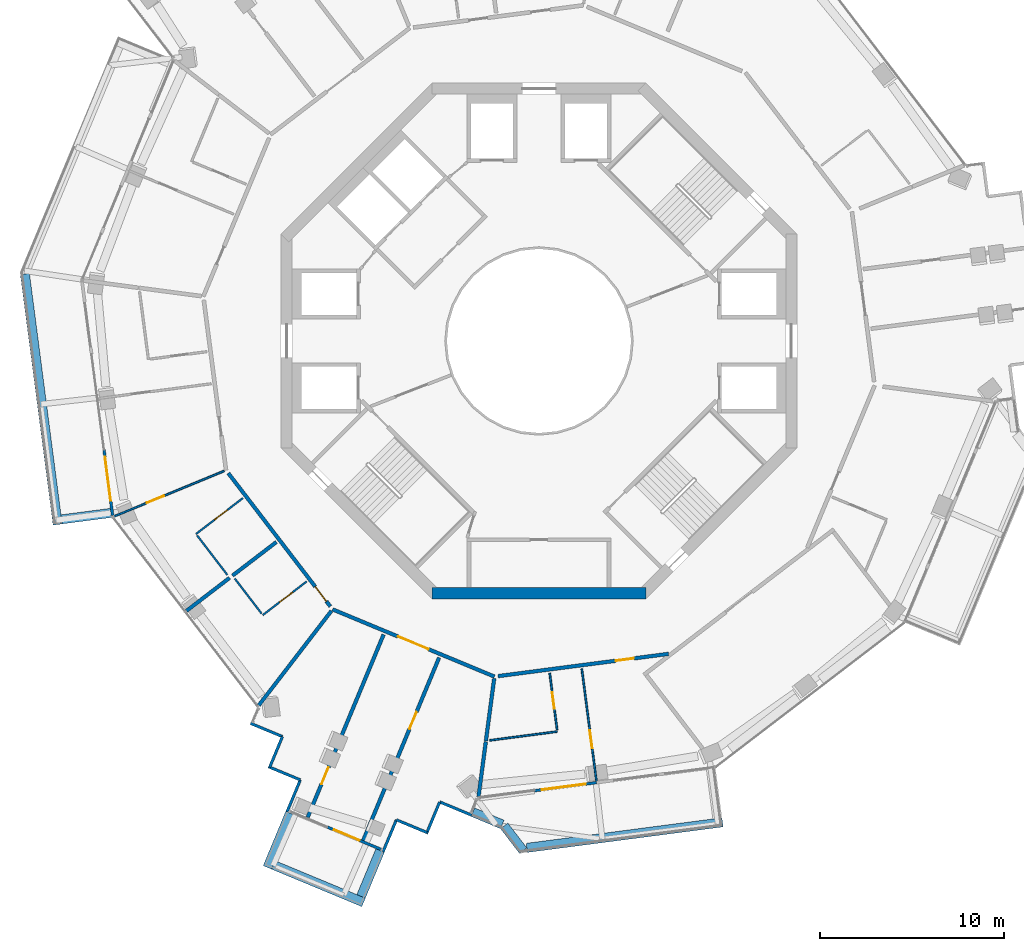
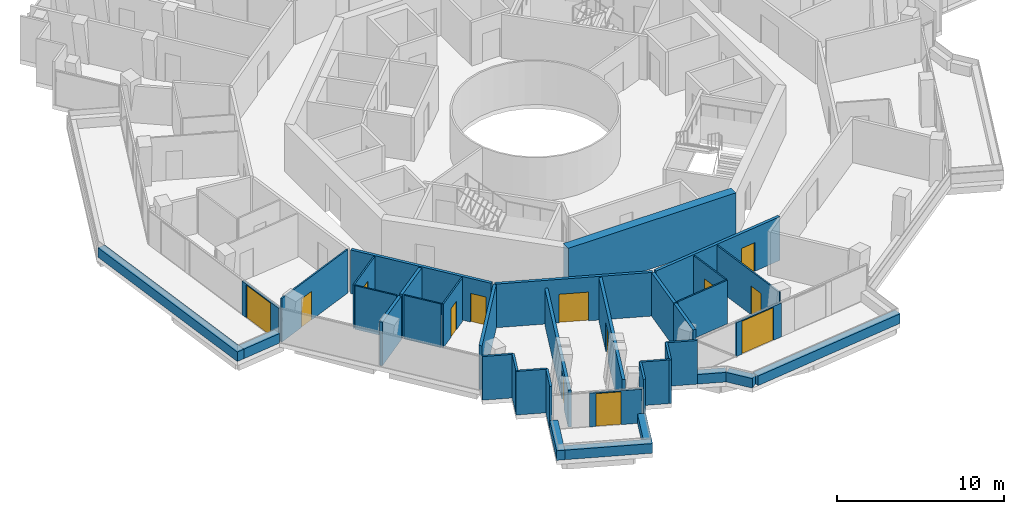
# One storey, part 17 of 25: 38 walls, 13 doors, 13 openings.
"""IFC4 building model written with IfcOpenShell, lengths in metres."""

import ifcopenshell
import ifcopenshell.guid

model = None  # the IFC model being written
_history = None  # IfcOwnerHistory: only IFC2X3 demands one
_inside = {}  # id of a spatial element -> (the spatial element, [elements in it])
_under = {}  # id of a project, library or spatial element -> (it, [spatial elements below it])
_declared = {}  # id of a project -> (the project, [libraries it declares])
_typed = {}  # id of a type object -> (the type object, [elements of that type])
_made_of = {}  # id of a material, layer set ... -> (it, [elements and type objects made of it])


def new_model(schema):
    """Start an empty IFC model of exactly this schema.

    Asked for "IFC4X3", IfcOpenShell would pick the latest addendum, in which some entities
    have other attributes; the version numbers below select the first issue.
    IFC2X3 requires an IfcOwnerHistory on every rooted entity: one is made here for all.
    """
    global model, _history
    if schema == "IFC4X3":
        model = ifcopenshell.file(schema_version=(4, 3, 0, 0))
    else:
        model = ifcopenshell.file(schema=schema)
    _inside.clear()
    _under.clear()
    _declared.clear()
    _typed.clear()
    _made_of.clear()
    _history = None
    if model.schema == "IFC2X3":
        org = make("IfcOrganization", Name="unknown")
        user = make(
            "IfcPersonAndOrganization",
            ThePerson=make("IfcPerson", FamilyName="unknown"),
            TheOrganization=org,
        )
        app = make(
            "IfcApplication",
            ApplicationDeveloper=org,
            Version="unknown",
            ApplicationFullName="unknown",
            ApplicationIdentifier="unknown",
        )
        _history = make(
            "IfcOwnerHistory",
            OwningUser=user,
            OwningApplication=app,
            ChangeAction="ADDED",
            CreationDate=0,
        )
    return model


def make(cls, **values):
    """One entity of the class cls with the attributes given. An attribute that is None is left unset."""
    return model.create_entity(
        cls, **{name: value for name, value in values.items() if value is not None}
    )


def rooted(cls, **values):
    """An entity with a GlobalId (a new one), such as an element, a storey or a relation."""
    return make(cls, GlobalId=ifcopenshell.guid.new(), OwnerHistory=_history, **values)


def si_unit(unit_type, name, prefix=None):
    """IfcSIUnit, for example si_unit("LENGTHUNIT", "METRE", prefix="MILLI")."""
    return make("IfcSIUnit", UnitType=unit_type, Prefix=prefix, Name=name)


def assignment(units):
    """IfcUnitAssignment: the units of a project."""
    return None if units is None else make("IfcUnitAssignment", Units=units)


def point(xyz):
    """IfcCartesianPoint."""
    return None if xyz is None else make("IfcCartesianPoint", Coordinates=xyz)


def direction(xyz):
    """IfcDirection."""
    return None if xyz is None else make("IfcDirection", DirectionRatios=xyz)


def frame(location, z_axis=None, x_axis=None):
    """IfcAxis2Placement3D, a coordinate frame: its origin and axes. An axis left out is left unset."""
    return make(
        "IfcAxis2Placement3D",
        Location=point(location),
        Axis=direction(z_axis),
        RefDirection=direction(x_axis),
    )


def frame_2d(location, x_axis=None):
    """IfcAxis2Placement2D, a coordinate frame in the plane: its origin and x axis."""
    return make(
        "IfcAxis2Placement2D", Location=point(location), RefDirection=direction(x_axis)
    )


def origin():
    """The frame at (0, 0, 0) with its axes left unset."""
    return frame((0.0, 0.0, 0.0))


def place(relative_to, where):
    """IfcLocalPlacement: puts the frame where relative to a parent placement (None: the world)."""
    return make(
        "IfcLocalPlacement", PlacementRelTo=relative_to, RelativePlacement=where
    )


def context(
    kind, dimensions, precision=None, world=None, true_north=None, identifier=None
):
    """IfcGeometricRepresentationContext, for example the 3D "Model" context."""
    return make(
        "IfcGeometricRepresentationContext",
        ContextIdentifier=identifier,
        ContextType=kind,
        CoordinateSpaceDimension=dimensions,
        Precision=precision,
        WorldCoordinateSystem=world,
        TrueNorth=true_north,
    )


def subcontext(parent, identifier, kind, view, scale=None):
    """IfcGeometricRepresentationSubContext, for example "Body" below "Model"."""
    return make(
        "IfcGeometricRepresentationSubContext",
        ContextIdentifier=identifier,
        ContextType=kind,
        ParentContext=parent,
        TargetScale=scale,
        TargetView=view,
    )


def project(units=None, contexts=None):
    """IfcProject with its units and contexts."""
    return rooted(
        "IfcProject",
        Name="project",
        RepresentationContexts=contexts,
        UnitsInContext=assignment(units),
    )


def spatial(cls, under=None, at=None, **own):
    """A site, building, storey or space (cls), placed at a placement, below another one or the project."""
    s = rooted(cls, ObjectPlacement=at, **own)
    if under is not None:
        _under.setdefault(under.id(), (under, []))[1].append(s)
    return s


def profile(cls, at=None, kind="AREA", **sizes):
    """A parametric profile (cls). Its sizes go by their IFC names, for example OverallWidth=200.0."""
    return make(cls, ProfileType=kind, Position=at, **sizes)


def rectangle(**sizes):
    """IfcRectangleProfileDef."""
    return profile("IfcRectangleProfileDef", **sizes)


def extrude(swept, where, along, depth):
    """IfcExtrudedAreaSolid: the profile swept, set in the frame where, extruded along a direction by depth."""
    return make(
        "IfcExtrudedAreaSolid",
        SweptArea=swept,
        Position=where,
        ExtrudedDirection=direction(along),
        Depth=depth,
    )


def shape(context_of_items, identifier, shape_type, items):
    """IfcShapeRepresentation: the items that make up one representation, for example the "Body"."""
    return make(
        "IfcShapeRepresentation",
        ContextOfItems=context_of_items,
        RepresentationIdentifier=identifier,
        RepresentationType=shape_type,
        Items=items,
    )


def material(Name=None, Category=None):
    """IfcMaterial."""
    return make("IfcMaterial", Name=Name, Category=Category)


def layer(
    of_material, thickness, ventilated=None, Name=None, Category=None, Priority=None
):
    """IfcMaterialLayer: one layer of a wall or slab, of a material (None: an air gap)."""
    return make(
        "IfcMaterialLayer",
        Material=of_material,
        LayerThickness=thickness,
        IsVentilated=ventilated,
        Name=Name,
        Category=Category,
        Priority=Priority,
    )


def layer_set(layers, Name=None):
    """IfcMaterialLayerSet."""
    return make("IfcMaterialLayerSet", MaterialLayers=layers, LayerSetName=Name)


def made_of(thing, what):
    """Note that an element or type object is made of a material, layer set ...; save() writes the relation."""
    if what is not None:
        _made_of.setdefault(what.id(), (what, []))[1].append(thing)
    return thing


def type_object(cls, material=None, **own):
    """A type object (cls), such as IfcWallType, which elements share."""
    return made_of(rooted(cls, **own), material)


def element(
    cls,
    number,
    at=None,
    inside=None,
    cuts=None,
    type_object=None,
    material=None,
    context=None,
    identifier="Body",
    shape_type=None,
    held_by="IfcProductDefinitionShape",
    body=None,
    shapes=None,
    **own,
):
    """One element of the class cls, such as IfcWall. Its Tag is "e" and its number.

    at: its placement. inside: the storey or other place that contains it. cuts: it is an
    opening in that element (IfcRelVoidsElement). A single representation is given by context,
    identifier, shape_type and body (its items); several are given by shapes. held_by: the class
    of the entity that holds the representations. save() writes the other relations.
    """
    e = rooted(cls, Tag="e%d" % number, ObjectPlacement=at, **own)
    if body is not None:
        shapes = [shape(context, identifier, shape_type, body)]
    if shapes is not None:
        e.Representation = make(held_by, Representations=shapes)
    if inside is not None:
        _inside.setdefault(inside.id(), (inside, []))[1].append(e)
    if cuts is not None:
        rooted(
            "IfcRelVoidsElement", RelatingBuildingElement=cuts, RelatedOpeningElement=e
        )
    if type_object is not None:
        _typed.setdefault(type_object.id(), (type_object, []))[1].append(e)
    return made_of(e, material)


def fill(opening, filler):
    """IfcRelFillsElement: the door or window that sits in an opening."""
    return rooted(
        "IfcRelFillsElement",
        RelatingOpeningElement=opening,
        RelatedBuildingElement=filler,
    )


def aggregate(whole, parts):
    """IfcRelAggregates: a whole, such as a stair, and the parts it consists of."""
    return rooted("IfcRelAggregates", RelatingObject=whole, RelatedObjects=parts)


def save(model, path):
    """Write the relations noted so far, then the file.

    IfcRelAggregates (storeys below a building ...), IfcRelContainedInSpatialStructure (elements
    in a storey), IfcRelDefinesByType, IfcRelAssociatesMaterial and IfcRelDeclares: one each for
    every whole, place, type object, material and project.
    """
    for whole, parts in _under.values():
        aggregate(whole, parts)
    for where, things in _inside.values():
        rooted(
            "IfcRelContainedInSpatialStructure",
            RelatedElements=things,
            RelatingStructure=where,
        )
    for kind, things in _typed.values():
        rooted("IfcRelDefinesByType", RelatedObjects=things, RelatingType=kind)
    for what, things in _made_of.values():
        rooted("IfcRelAssociatesMaterial", RelatedObjects=things, RelatingMaterial=what)
    for by, libraries in _declared.values():
        rooted("IfcRelDeclares", RelatingContext=by, RelatedDefinitions=libraries)
    model.write(path)


model = new_model("IFC4")

# Units and contexts
model_context = context("Model", 3, precision=1e-05, world=origin(), true_north=direction((0.0, 1.0)))
body_context = subcontext(model_context, "Body", "Model", "MODEL_VIEW")
ifc_project = project(units=[si_unit("LENGTHUNIT", "METRE"), si_unit("AREAUNIT", "SQUARE_METRE"), si_unit("VOLUMEUNIT", "CUBIC_METRE"), si_unit("PLANEANGLEUNIT", "RADIAN"), si_unit("MASSUNIT", "GRAM", prefix="KILO")], contexts=[model_context])

# Site, building, storey
site_placement = place(None, origin())
site = spatial("IfcSite", under=ifc_project, at=site_placement, CompositionType="ELEMENT")
building_placement = place(site_placement, origin())
building = spatial("IfcBuilding", under=site, at=building_placement, Name="Verdalira Terraces Hotel", CompositionType="ELEMENT")
storey_placement = place(building_placement, frame((0.0, 0.0, 187.0)))
storey = spatial("IfcBuildingStorey", under=building, at=storey_placement, Name="L45", CompositionType="ELEMENT", Elevation=187.0)

# Walls
ifc_material_1 = material(Name="Concrete C40", Category="concrete")
ifc_layer_1 = layer(ifc_material_1, 0.5)
ifc_layer_set_1 = layer_set([ifc_layer_1], Name="Balcony planter trough with tree")
wall_type_1 = type_object("IfcWallType", Name="Balcony planter trough with tree", PredefinedType="SOLIDWALL", material=ifc_layer_set_1)
wall_1_placement = place(storey_placement, frame((-27.914551, 3.639404, 0.0), z_axis=(0.0, 0.0, 1.0), x_axis=(0.12947608, -0.991582546, 0.0)))
element("IfcWall", 1, at=wall_1_placement, inside=storey, type_object=wall_type_1, Name="Balcony planter", PredefinedType="SOLIDWALL", context=body_context, shape_type="SweptSolid", body=[
    extrude(rectangle(XDim=13.723389, YDim=0.5, at=frame_2d((6.861816, 0.0))), origin(), (0.0, 0.0, 1.0), 0.699951),
])
wall_2_placement = place(storey_placement, frame((-25.922119, -9.688232, 0.0), z_axis=(0.0, 0.0, 1.0), x_axis=(0.991575172, 0.129532535, 0.0)))
element("IfcWall", 2, at=wall_2_placement, inside=storey, type_object=wall_type_1, Name="Balcony planter", PredefinedType="SOLIDWALL", context=body_context, shape_type="SweptSolid", body=[
    extrude(rectangle(XDim=2.698975, YDim=0.5, at=frame_2d((1.349609, 0.0))), origin(), (0.0, 0.0, 1.0), 0.699951),
])
wall_3_placement = place(storey_placement, frame((-13.519043, -25.634277, 0.0), z_axis=(0.0, 0.0, 1.0), x_axis=(-0.383661403, -0.923473837, 0.0)))
element("IfcWall", 3, at=wall_3_placement, inside=storey, type_object=wall_type_1, Name="Balcony planter", PredefinedType="SOLIDWALL", context=body_context, shape_type="SweptSolid", body=[
    extrude(rectangle(XDim=3.198975, YDim=0.5, at=frame_2d((1.599609, 0.0))), origin(), (0.0, 0.0, 1.0), 0.699951),
])
wall_4_placement = place(storey_placement, frame((-14.419678, -28.453613, 0.0), z_axis=(0.0, 0.0, 1.0), x_axis=(0.923490691, -0.383620834, 0.0)))
element("IfcWall", 4, at=wall_4_placement, inside=storey, type_object=wall_type_1, Name="Balcony planter", PredefinedType="SOLIDWALL", context=body_context, shape_type="SweptSolid", body=[
    extrude(rectangle(XDim=5.300049, YDim=0.5, at=frame_2d((2.649902, 0.0))), origin(), (0.0, 0.0, 1.0), 0.699951),
])
wall_5_placement = place(storey_placement, frame((-9.660156, -30.160156, 0.0), z_axis=(0.0, 0.0, 1.0), x_axis=(0.383632439, 0.92348587, 0.0)))
element("IfcWall", 5, at=wall_5_placement, inside=storey, type_object=wall_type_1, Name="Balcony planter", PredefinedType="SOLIDWALL", context=body_context, shape_type="SweptSolid", body=[
    extrude(rectangle(XDim=2.698975, YDim=0.5, at=frame_2d((1.349609, 0.0))), origin(), (0.0, 0.0, 1.0), 0.699951),
])
wall_6_placement = place(storey_placement, frame((-3.59082, -25.588867, 0.0), z_axis=(0.0, 0.0, 1.0), x_axis=(0.923472883, -0.3836637, 0.0)))
element("IfcWall", 6, at=wall_6_placement, inside=storey, type_object=wall_type_1, Name="Balcony planter", PredefinedType="SOLIDWALL", context=body_context, shape_type="SweptSolid", body=[
    extrude(rectangle(XDim=1.730957, YDim=0.5, at=frame_2d((0.865479, 0.0))), origin(), (0.0, 0.0, 1.0), 0.699951),
])
wall_7_placement = place(storey_placement, frame((-1.889648, -26.331787, 0.0), z_axis=(0.0, 0.0, 1.0), x_axis=(0.607829625, -0.79406747, 0.0)))
element("IfcWall", 7, at=wall_7_placement, inside=storey, type_object=wall_type_1, Name="Balcony planter", PredefinedType="SOLIDWALL", context=body_context, shape_type="SweptSolid", body=[
    extrude(rectangle(XDim=1.695068, YDim=0.5, at=frame_2d((0.847656, 0.0))), origin(), (0.0, 0.0, 1.0), 0.699951),
])
wall_8_placement = place(storey_placement, frame((-0.660889, -27.525635, 0.0), z_axis=(0.0, 0.0, 1.0), x_axis=(0.991582495, 0.129476468, 0.0)))
element("IfcWall", 8, at=wall_8_placement, inside=storey, type_object=wall_type_1, Name="Balcony planter", PredefinedType="SOLIDWALL", context=body_context, shape_type="SweptSolid", body=[
    extrude(rectangle(XDim=10.719727, YDim=0.5, at=frame_2d((5.359863, 0.0))), origin(), (0.0, 0.0, 1.0), 0.699951),
])

# Wall, opening, door
ifc_material_2 = material(Name="Moisture-resistant gypsum board partition")
ifc_layer_2 = layer(ifc_material_2, 0.10009765625)
ifc_layer_set_2 = layer_set([ifc_layer_2], Name="Bathroom partition 100 mm")
wall_type_2 = type_object("IfcWallType", Name="Bathroom partition 100 mm", PredefinedType="PARTITIONING", material=ifc_layer_set_2)
wall_9_placement = place(storey_placement, frame((-17.088379, -7.057373, 0.0), z_axis=(0.0, 0.0, 1.0), x_axis=(-0.924277042, -0.381722347, 0.0)))
wall_9 = element("IfcWall", 9, at=wall_9_placement, inside=storey, type_object=wall_type_2, Name="Bathroom partition", PredefinedType="PARTITIONING", context=body_context, shape_type="SweptSolid", body=[
    extrude(rectangle(XDim=6.47583, YDim=0.100098, at=frame_2d((3.237793, 0.0))), origin(), (0.0, 0.0, 1.0), 3.189941),
])
opening_1_placement = place(wall_9_placement, frame((3.550049, 0.0, 0.0)))
opening_1 = element("IfcOpeningElement", 10, at=opening_1_placement, cuts=wall_9, Name="Opening L45-109", PredefinedType="OPENING", context=body_context, shape_type="SweptSolid", body=[
    extrude(rectangle(XDim=1.0, YDim=2.100098, at=frame_2d((0.5, 1.050049))), frame((0.0, 0.060059, 0.0), z_axis=(0.0, -1.0, 0.0), x_axis=(1.0, 0.0, 0.0)), (0.0, 0.0, 1.0), 0.120117),
])
ifc_material_3 = material(Name="Timber door", Category="wood")
door_type_1 = type_object("IfcDoorType", Name="Suite internal door 1000 x 2100", OperationType="NOTDEFINED", PredefinedType="DOOR", material=ifc_material_3)
door_1_placement = place(opening_1_placement, origin())
door_1 = element("IfcDoor", 11, at=door_1_placement, inside=storey, type_object=door_type_1, Name="Suite internal door 4503", OperationType="SINGLE_SWING_LEFT", OverallHeight=2.10009765625, OverallWidth=1.0, PredefinedType="DOOR", context=body_context, shape_type="SweptSolid", body=[
    extrude(rectangle(XDim=1.0, YDim=2.100098, at=frame_2d((0.5, 1.050049))), frame((0.0, 0.024902, 0.0), z_axis=(0.0, -1.0, 0.0), x_axis=(1.0, 0.0, 0.0)), (0.0, 0.0, 1.0), 0.050049),
])
fill(opening_1, door_1)

# Wall
wall_10_placement = place(storey_placement, frame((-18.5625, -10.560303, 0.0), z_axis=(0.0, 0.0, 1.0), x_axis=(0.607913175, -0.794003509, 0.0)))
element("IfcWall", 12, at=wall_10_placement, inside=storey, type_object=wall_type_2, Name="Bathroom partition", PredefinedType="PARTITIONING", context=body_context, shape_type="SweptSolid", body=[
    extrude(rectangle(XDim=2.699951, YDim=0.100098, at=frame_2d((1.350098, 0.0))), origin(), (0.0, 0.0, 1.0), 3.189941),
])

# Wall, opening, door
wall_11_placement = place(storey_placement, frame((-16.08252, -8.5354, 0.0), z_axis=(0.0, 0.0, 1.0), x_axis=(-0.794000376, -0.607917267, 0.0)))
wall_11 = element("IfcWall", 13, at=wall_11_placement, inside=storey, type_object=wall_type_2, Name="Bathroom partition", PredefinedType="PARTITIONING", context=body_context, shape_type="SweptSolid", body=[
    extrude(rectangle(XDim=3.199951, YDim=0.100098, at=frame_2d((1.600098, 0.0))), origin(), (0.0, 0.0, 1.0), 3.189941),
])
opening_2_placement = place(wall_11_placement, frame((1.050049, 0.0, 0.0)))
opening_2 = element("IfcOpeningElement", 14, at=opening_2_placement, cuts=wall_11, Name="Opening L45-111", PredefinedType="OPENING", context=body_context, shape_type="SweptSolid", body=[
    extrude(rectangle(XDim=0.899902, YDim=2.100098, at=frame_2d((0.449951, 1.050049))), frame((0.0, 0.060059, 0.0), z_axis=(0.0, -1.0, 0.0), x_axis=(1.0, 0.0, 0.0)), (0.0, 0.0, 1.0), 0.120117),
])
ifc_material_4 = material(Name="Timber door", Category="wood")
door_type_2 = type_object("IfcDoorType", Name="Bathroom door 900 x 2100", OperationType="NOTDEFINED", PredefinedType="DOOR", material=ifc_material_4)
door_2_placement = place(opening_2_placement, origin())
door_2 = element("IfcDoor", 15, at=door_2_placement, inside=storey, type_object=door_type_2, Name="Bathroom door 4503", OperationType="SINGLE_SWING_RIGHT", OverallHeight=2.10009765625, OverallWidth=0.89990234375, PredefinedType="DOOR", context=body_context, shape_type="SweptSolid", body=[
    extrude(rectangle(XDim=0.899902, YDim=2.100098, at=frame_2d((0.449951, 1.050049))), frame((0.0, 0.024902, 0.0), z_axis=(0.0, -1.0, 0.0), x_axis=(1.0, 0.0, 0.0)), (0.0, 0.0, 1.0), 0.050049),
])
fill(opening_2, door_2)

# Wall
wall_12_placement = place(storey_placement, frame((-15.060059, -14.805664, 0.0), z_axis=(0.0, 0.0, 1.0), x_axis=(-0.607880442, 0.794028569, 0.0)))
element("IfcWall", 16, at=wall_12_placement, inside=storey, type_object=wall_type_2, Name="Bathroom partition", PredefinedType="PARTITIONING", context=body_context, shape_type="SweptSolid", body=[
    extrude(rectangle(XDim=2.400146, YDim=0.100098, at=frame_2d((1.200195, 0.0))), origin(), (0.0, 0.0, 1.0), 3.189941),
])

# Wall, opening, door
wall_13_placement = place(storey_placement, frame((-14.999268, -14.88501, 0.0), z_axis=(0.0, 0.0, 1.0), x_axis=(0.794013533, 0.607900081, 0.0)))
wall_13 = element("IfcWall", 17, at=wall_13_placement, inside=storey, type_object=wall_type_2, Name="Bathroom partition", PredefinedType="PARTITIONING", context=body_context, shape_type="SweptSolid", body=[
    extrude(rectangle(XDim=3.0, YDim=0.100098, at=frame_2d((1.5, 0.0))), origin(), (0.0, 0.0, 1.0), 3.189941),
])
opening_3_placement = place(wall_13_placement, frame((1.149902, 0.0, 0.0)))
opening_3 = element("IfcOpeningElement", 18, at=opening_3_placement, cuts=wall_13, Name="Opening L45-113", PredefinedType="OPENING", context=body_context, shape_type="SweptSolid", body=[
    extrude(rectangle(XDim=0.899902, YDim=2.100098, at=frame_2d((0.449951, 1.050049))), frame((0.0, 0.060059, 0.0), z_axis=(0.0, -1.0, 0.0), x_axis=(1.0, 0.0, 0.0)), (0.0, 0.0, 1.0), 0.120117),
])
door_3_placement = place(opening_3_placement, origin())
door_3 = element("IfcDoor", 19, at=door_3_placement, inside=storey, type_object=door_type_2, Name="Bathroom door 4504", OperationType="SINGLE_SWING_LEFT", OverallHeight=2.10009765625, OverallWidth=0.89990234375, PredefinedType="DOOR", context=body_context, shape_type="SweptSolid", body=[
    extrude(rectangle(XDim=0.899902, YDim=2.100098, at=frame_2d((0.449951, 1.050049))), frame((0.0, 0.024902, 0.0), z_axis=(0.0, -1.0, 0.0), x_axis=(1.0, 0.0, 0.0)), (0.0, 0.0, 1.0), 0.050049),
])
fill(opening_3, door_3)

# Wall
wall_14_placement = place(storey_placement, frame((-2.676514, -21.6875, 0.0), z_axis=(0.0, 0.0, 1.0), x_axis=(0.991584598, 0.129460357, 0.0)))
element("IfcWall", 20, at=wall_14_placement, inside=storey, type_object=wall_type_2, Name="Bathroom partition", PredefinedType="PARTITIONING", context=body_context, shape_type="SweptSolid", body=[
    extrude(rectangle(XDim=3.703857, YDim=0.100098, at=frame_2d((1.852051, 0.0))), origin(), (0.0, 0.0, 1.0), 3.189941),
])

# Wall, opening, door
wall_15_placement = place(storey_placement, frame((0.983398, -21.108643, 0.0), z_axis=(0.0, 0.0, 1.0), x_axis=(-0.129558036, 0.991571841, 0.0)))
wall_15 = element("IfcWall", 21, at=wall_15_placement, inside=storey, type_object=wall_type_2, Name="Bathroom partition", PredefinedType="PARTITIONING", context=body_context, shape_type="SweptSolid", body=[
    extrude(rectangle(XDim=3.099854, YDim=0.100098, at=frame_2d((1.549805, 0.0))), origin(), (0.0, 0.0, 1.0), 3.189941),
])
opening_4_placement = place(wall_15_placement, frame((1.149902, 0.0, 0.0)))
opening_4 = element("IfcOpeningElement", 22, at=opening_4_placement, cuts=wall_15, Name="Opening L45-119", PredefinedType="OPENING", context=body_context, shape_type="SweptSolid", body=[
    extrude(rectangle(XDim=0.899902, YDim=2.100098, at=frame_2d((0.449951, 1.050049))), frame((0.0, 0.060059, 0.0), z_axis=(0.0, -1.0, 0.0), x_axis=(1.0, 0.0, 0.0)), (0.0, 0.0, 1.0), 0.120117),
])
door_4_placement = place(opening_4_placement, origin())
door_4 = element("IfcDoor", 23, at=door_4_placement, inside=storey, type_object=door_type_2, Name="Bathroom door 4506", OperationType="SINGLE_SWING_LEFT", OverallHeight=2.10009765625, OverallWidth=0.89990234375, PredefinedType="DOOR", context=body_context, shape_type="SweptSolid", body=[
    extrude(rectangle(XDim=0.899902, YDim=2.100098, at=frame_2d((0.449951, 1.050049))), frame((0.0, 0.024902, 0.0), z_axis=(0.0, -1.0, 0.0), x_axis=(1.0, 0.0, 0.0)), (0.0, 0.0, 1.0), 0.050049),
])
fill(opening_4, door_4)

wall_16_placement = place(storey_placement, frame((3.121582, -23.905518, 0.0), z_axis=(0.0, 0.0, 1.0), x_axis=(-0.12945119, 0.991585795, 0.0)))
wall_16 = element("IfcWall", 24, at=wall_16_placement, inside=storey, type_object=wall_type_2, Name="Bathroom partition", PredefinedType="PARTITIONING", context=body_context, shape_type="SweptSolid", body=[
    extrude(rectangle(XDim=6.150146, YDim=0.100098, at=frame_2d((3.075195, 0.0))), origin(), (0.0, 0.0, 1.0), 3.189941),
])
opening_5_placement = place(wall_16_placement, frame((1.800049, 0.0, 0.0)))
opening_5 = element("IfcOpeningElement", 25, at=opening_5_placement, cuts=wall_16, Name="Opening L45-118", PredefinedType="OPENING", context=body_context, shape_type="SweptSolid", body=[
    extrude(rectangle(XDim=1.0, YDim=2.100098, at=frame_2d((0.5, 1.050049))), frame((0.0, 0.060059, 0.0), z_axis=(0.0, -1.0, 0.0), x_axis=(1.0, 0.0, 0.0)), (0.0, 0.0, 1.0), 0.120117),
])
door_5_placement = place(opening_5_placement, origin())
door_5 = element("IfcDoor", 26, at=door_5_placement, inside=storey, type_object=door_type_1, Name="Suite internal door 4506", OperationType="SINGLE_SWING_LEFT", OverallHeight=2.10009765625, OverallWidth=1.0, PredefinedType="DOOR", context=body_context, shape_type="SweptSolid", body=[
    extrude(rectangle(XDim=1.0, YDim=2.100098, at=frame_2d((0.5, 1.050049))), frame((0.0, 0.024902, 0.0), z_axis=(0.0, -1.0, 0.0), x_axis=(1.0, 0.0, 0.0)), (0.0, 0.0, 1.0), 0.050049),
])
fill(opening_5, door_5)

# Walls
ifc_material_5 = material(Name="Concrete C60", Category="concrete")
ifc_layer_3 = layer(ifc_material_5, 0.60009765625)
ifc_layer_set_3 = layer_set([ifc_layer_3], Name="Core wall 600 C60")
wall_type_3 = type_object("IfcWallType", Name="Core wall 600 C60", PredefinedType="SHEAR", material=ifc_layer_set_3)
wall_17_placement = place(storey_placement, frame((-5.799072, -13.699951, 0.0), z_axis=(0.0, 0.0, 1.0), x_axis=(1.0, 0.0, 0.0)))
element("IfcWall", 27, at=wall_17_placement, inside=storey, type_object=wall_type_3, Name="Core wall CW-L45-7", PredefinedType="SHEAR", context=body_context, shape_type="SweptSolid", body=[
    extrude(rectangle(XDim=11.598145, YDim=0.600098, at=frame_2d((5.799072, 0.0))), origin(), (0.0, 0.0, 1.0), 3.5),
])
ifc_material_6 = material(Name="Fire-rated gypsum board wall")
ifc_layer_4 = layer(ifc_material_6, 0.199951171875)
ifc_layer_set_4 = layer_set([ifc_layer_4], Name="Demising wall 200 mm")
wall_type_4 = type_object("IfcWallType", Name="Demising wall 200 mm", PredefinedType="SOLIDWALL", material=ifc_layer_set_4)
wall_18_placement = place(storey_placement, frame((-16.799561, -12.862793, 0.0), z_axis=(0.0, 0.0, 1.0), x_axis=(-0.793981836, -0.607941481, 0.0)))
element("IfcWall", 28, at=wall_18_placement, inside=storey, type_object=wall_type_4, Name="Demising wall", PredefinedType="SOLIDWALL", context=body_context, shape_type="SweptSolid", body=[
    extrude(rectangle(XDim=2.949951, YDim=0.199951, at=frame_2d((1.475098, 0.0))), origin(), (0.0, 0.0, 1.0), 3.189941),
])
wall_19_placement = place(storey_placement, frame((-14.258789, -10.91748, 0.0), z_axis=(0.0, 0.0, 1.0), x_axis=(-0.793997581, -0.607920917, 0.0)))
element("IfcWall", 29, at=wall_19_placement, inside=storey, type_object=wall_type_4, Name="Demising wall", PredefinedType="SOLIDWALL", context=body_context, shape_type="SweptSolid", body=[
    extrude(rectangle(XDim=3.001953, YDim=0.199951, at=frame_2d((1.500977, 0.0))), origin(), (0.0, 0.0, 1.0), 3.189941),
])
wall_20_placement = place(storey_placement, frame((-15.218018, -19.789307, 0.0), z_axis=(0.0, 0.0, 1.0), x_axis=(0.609619659, 0.792694059, 0.0)))
element("IfcWall", 30, at=wall_20_placement, inside=storey, type_object=wall_type_4, Name="Demising wall", PredefinedType="SOLIDWALL", context=body_context, shape_type="SweptSolid", body=[
    extrude(rectangle(XDim=6.47583, YDim=0.199951, at=frame_2d((3.237793, 0.0))), origin(), (0.0, 0.0, 1.0), 3.189941),
])

# Wall, opening, door
wall_21_placement = place(storey_placement, frame((-5.422363, -17.193604, 0.0), z_axis=(0.0, 0.0, 1.0), x_axis=(-0.383649237, -0.923478892, 0.0)))
wall_21 = element("IfcWall", 31, at=wall_21_placement, inside=storey, type_object=wall_type_4, Name="Demising wall", PredefinedType="SOLIDWALL", context=body_context, shape_type="SweptSolid", body=[
    extrude(rectangle(XDim=10.75, YDim=0.199951, at=frame_2d((5.375, 0.0))), origin(), (0.0, 0.0, 1.0), 3.189941),
])
opening_6_placement = place(wall_21_placement, frame((3.199951, 0.0, 0.0)))
opening_6 = element("IfcOpeningElement", 32, at=opening_6_placement, cuts=wall_21, Name="Opening L45-116", PredefinedType="OPENING", context=body_context, shape_type="SweptSolid", body=[
    extrude(rectangle(XDim=1.0, YDim=2.100098, at=frame_2d((0.5, 1.050049))), frame((0.0, 0.109863, 0.0), z_axis=(0.0, -1.0, 0.0), x_axis=(1.0, 0.0, 0.0)), (0.0, 0.0, 1.0), 0.219971),
])
ifc_material_7 = material(Name="Timber fire door", Category="wood")
door_type_3 = type_object("IfcDoorType", Name="Public room door 1000 x 2100", OperationType="NOTDEFINED", PredefinedType="DOOR", material=ifc_material_7)
door_6_placement = place(opening_6_placement, origin())
door_6 = element("IfcDoor", 33, at=door_6_placement, inside=storey, type_object=door_type_3, Name="Public room door 4505", OperationType="SINGLE_SWING_LEFT", OverallHeight=2.10009765625, OverallWidth=1.0, PredefinedType="DOOR", context=body_context, shape_type="SweptSolid", body=[
    extrude(rectangle(XDim=1.0, YDim=2.100098, at=frame_2d((0.5, 1.050049))), frame((0.0, 0.024902, 0.0), z_axis=(0.0, -1.0, 0.0), x_axis=(1.0, 0.0, 0.0)), (0.0, 0.0, 1.0), 0.050049),
])
fill(opening_6, door_6)

# Walls
wall_22_placement = place(storey_placement, frame((-2.888184, -21.761719, 0.0), z_axis=(0.0, 0.0, 1.0), x_axis=(-0.131574268, -0.991306316, 0.0)))
element("IfcWall", 34, at=wall_22_placement, inside=storey, type_object=wall_type_4, Name="Demising wall", PredefinedType="SOLIDWALL", context=body_context, shape_type="SweptSolid", body=[
    extrude(rectangle(XDim=3.011475, YDim=0.199951, at=frame_2d((1.505859, 0.0))), origin(), (0.0, 0.0, 1.0), 3.189941),
])
wall_23_placement = place(storey_placement, frame((-2.432373, -18.327637, 0.0), z_axis=(0.0, 0.0, 1.0), x_axis=(-0.131555534, -0.991308802, 0.0)))
element("IfcWall", 35, at=wall_23_placement, inside=storey, type_object=wall_type_4, Name="Demising wall", PredefinedType="SOLIDWALL", context=body_context, shape_type="SweptSolid", body=[
    extrude(rectangle(XDim=3.418457, YDim=0.199951, at=frame_2d((1.709229, 0.0))), origin(), (0.0, 0.0, 1.0), 3.189941),
])

# Wall, opening, door
ifc_material_8 = material(Name="Fire-rated gypsum board wall")
ifc_layer_5 = layer(ifc_material_8, 0.199951171875)
ifc_layer_set_5 = layer_set([ifc_layer_5], Name="Demising wall 200 mm to beam soffit")
wall_type_5 = type_object("IfcWallType", Name="Demising wall 200 mm to beam soffit", PredefinedType="SOLIDWALL", material=ifc_layer_set_5)
wall_24_placement = place(storey_placement, frame((-12.561279, -25.868652, 0.0), z_axis=(0.0, 0.0, 1.0), x_axis=(0.383637915, 0.923483595, 0.0)))
wall_24 = element("IfcWall", 36, at=wall_24_placement, inside=storey, type_object=wall_type_5, Name="Demising wall", PredefinedType="SOLIDWALL", context=body_context, shape_type="SweptSolid", body=[
    extrude(rectangle(XDim=10.749756, YDim=0.199951, at=frame_2d((5.375, 0.0))), origin(), (0.0, 0.0, 1.0), 2.689941),
])
opening_7_placement = place(wall_24_placement, frame((1.949951, 0.0, 0.0)))
opening_7 = element("IfcOpeningElement", 37, at=opening_7_placement, cuts=wall_24, Name="Opening L45-115", PredefinedType="OPENING", context=body_context, shape_type="SweptSolid", body=[
    extrude(rectangle(XDim=1.0, YDim=2.100098, at=frame_2d((0.5, 1.050049))), frame((0.0, 0.109863, 0.0), z_axis=(0.0, -1.0, 0.0), x_axis=(1.0, 0.0, 0.0)), (0.0, 0.0, 1.0), 0.219971),
])
door_7_placement = place(opening_7_placement, origin())
door_7 = element("IfcDoor", 38, at=door_7_placement, inside=storey, type_object=door_type_3, Name="Public room door 4505", OperationType="SINGLE_SWING_LEFT", OverallHeight=2.10009765625, OverallWidth=1.0, PredefinedType="DOOR", context=body_context, shape_type="SweptSolid", body=[
    extrude(rectangle(XDim=1.0, YDim=2.100098, at=frame_2d((0.5, 1.050049))), frame((0.0, 0.024902, 0.0), z_axis=(0.0, -1.0, 0.0), x_axis=(1.0, 0.0, 0.0)), (0.0, 0.0, 1.0), 0.050049),
])
fill(opening_7, door_7)

ifc_material_9 = material(Name="Fire-rated gypsum board wall")
ifc_layer_6 = layer(ifc_material_9, 0.199951171875)
ifc_layer_set_6 = layer_set([ifc_layer_6], Name="Guest corridor wall 200 mm")
wall_type_6 = type_object("IfcWallType", Name="Guest corridor wall 200 mm", PredefinedType="SOLIDWALL", material=ifc_layer_set_6)
wall_25_placement = place(storey_placement, frame((-11.328857, -14.415039, 0.0), z_axis=(0.0, 0.0, 1.0), x_axis=(-0.607927122, 0.79399283, 0.0)))
wall_25 = element("IfcWall", 39, at=wall_25_placement, inside=storey, type_object=wall_type_6, Name="Guest corridor wall", PredefinedType="SOLIDWALL", context=body_context, shape_type="SweptSolid", body=[
    extrude(rectangle(XDim=9.116699, YDim=0.199951, at=frame_2d((4.55835, 0.0))), origin(), (0.0, 0.0, 1.0), 3.189941),
])
opening_8_placement = place(wall_25_placement, frame((0.350098, 0.0, 0.0)))
opening_8 = element("IfcOpeningElement", 40, at=opening_8_placement, cuts=wall_25, Name="Opening L45-112", PredefinedType="OPENING", context=body_context, shape_type="SweptSolid", body=[
    extrude(rectangle(XDim=1.0, YDim=2.100098, at=frame_2d((0.5, 1.050049))), frame((0.0, 0.109863, 0.0), z_axis=(0.0, -1.0, 0.0), x_axis=(1.0, 0.0, 0.0)), (0.0, 0.0, 1.0), 0.219971),
])
ifc_material_10 = material(Name="Timber fire door", Category="wood")
door_type_4 = type_object("IfcDoorType", Name="Guest entry door 1000 x 2100", OperationType="NOTDEFINED", PredefinedType="DOOR", material=ifc_material_10)
door_8_placement = place(opening_8_placement, origin())
door_8 = element("IfcDoor", 41, at=door_8_placement, inside=storey, type_object=door_type_4, Name="Guest entry door 4504", OperationType="SINGLE_SWING_LEFT", OverallHeight=2.10009765625, OverallWidth=1.0, PredefinedType="DOOR", context=body_context, shape_type="SweptSolid", body=[
    extrude(rectangle(XDim=1.0, YDim=2.100098, at=frame_2d((0.5, 1.050049))), frame((0.0, 0.024902, 0.0), z_axis=(0.0, -1.0, 0.0), x_axis=(1.0, 0.0, 0.0)), (0.0, 0.0, 1.0), 0.050049),
])
fill(opening_8, door_8)

wall_26_placement = place(storey_placement, frame((-2.418701, -18.225098, 0.0), z_axis=(0.0, 0.0, 1.0), x_axis=(-0.923478679, 0.383649748, 0.0)))
wall_26 = element("IfcWall", 42, at=wall_26_placement, inside=storey, type_object=wall_type_6, Name="Guest corridor wall", PredefinedType="SOLIDWALL", context=body_context, shape_type="SweptSolid", body=[
    extrude(rectangle(XDim=9.516846, YDim=0.199951, at=frame_2d((4.758301, 0.0))), origin(), (0.0, 0.0, 1.0), 3.189941),
])
opening_9_placement = place(wall_26_placement, frame((3.869385, 0.0, 0.0)))
opening_9 = element("IfcOpeningElement", 43, at=opening_9_placement, cuts=wall_26, Name="Opening L45-114", PredefinedType="OPENING", context=body_context, shape_type="SweptSolid", body=[
    extrude(rectangle(XDim=1.800049, YDim=2.100098, at=frame_2d((0.899902, 1.050049))), frame((0.0, 0.109863, 0.0), z_axis=(0.0, -1.0, 0.0), x_axis=(1.0, 0.0, 0.0)), (0.0, 0.0, 1.0), 0.219971),
])
ifc_material_11 = material(Name="Timber fire door", Category="wood")
door_type_5 = type_object("IfcDoorType", Name="Public room double door 1800 x 2100", OperationType="NOTDEFINED", PredefinedType="DOOR", material=ifc_material_11)
door_9_placement = place(opening_9_placement, origin())
door_9 = element("IfcDoor", 44, at=door_9_placement, inside=storey, type_object=door_type_5, Name="Public room double door 4505", OperationType="DOUBLE_DOOR_SINGLE_SWING", OverallHeight=2.10009765625, OverallWidth=1.800048828125, PredefinedType="DOOR", context=body_context, shape_type="SweptSolid", body=[
    extrude(rectangle(XDim=1.800049, YDim=2.100098, at=frame_2d((0.899902, 1.050049))), frame((0.0, 0.024902, 0.0), z_axis=(0.0, -1.0, 0.0), x_axis=(1.0, 0.0, 0.0)), (0.0, 0.0, 1.0), 0.050049),
])
fill(opening_9, door_9)

wall_27_placement = place(storey_placement, frame((7.037598, -16.98999, 0.0), z_axis=(0.0, 0.0, 1.0), x_axis=(-0.99157765, -0.12951357, 0.0)))
wall_27 = element("IfcWall", 45, at=wall_27_placement, inside=storey, type_object=wall_type_6, Name="Guest corridor wall", PredefinedType="SOLIDWALL", context=body_context, shape_type="SweptSolid", body=[
    extrude(rectangle(XDim=9.33667, YDim=0.199951, at=frame_2d((4.668457, 0.0))), origin(), (0.0, 0.0, 1.0), 3.189941),
])
opening_10_placement = place(wall_27_placement, frame((1.899902, 0.0, 0.0)))
opening_10 = element("IfcOpeningElement", 46, at=opening_10_placement, cuts=wall_27, Name="Opening L45-117", PredefinedType="OPENING", context=body_context, shape_type="SweptSolid", body=[
    extrude(rectangle(XDim=1.0, YDim=2.100098, at=frame_2d((0.5, 1.050049))), frame((0.0, 0.109863, 0.0), z_axis=(0.0, -1.0, 0.0), x_axis=(1.0, 0.0, 0.0)), (0.0, 0.0, 1.0), 0.219971),
])
door_10_placement = place(opening_10_placement, origin())
door_10 = element("IfcDoor", 47, at=door_10_placement, inside=storey, type_object=door_type_4, Name="Guest entry door 4506", OperationType="SINGLE_SWING_LEFT", OverallHeight=2.10009765625, OverallWidth=1.0, PredefinedType="DOOR", context=body_context, shape_type="SweptSolid", body=[
    extrude(rectangle(XDim=1.0, YDim=2.100098, at=frame_2d((0.5, 1.050049))), frame((0.0, 0.024902, 0.0), z_axis=(0.0, -1.0, 0.0), x_axis=(1.0, 0.0, 0.0)), (0.0, 0.0, 1.0), 0.050049),
])
fill(opening_10, door_10)

# Walls
ifc_material_12 = material(Name="Terracotta cladding", Category="masonry")
ifc_layer_7 = layer(ifc_material_12, 0.14990234375)
ifc_layer_set_7 = layer_set([ifc_layer_7], Name="Terracotta clad wall 150")
wall_type_7 = type_object("IfcWallType", Name="Terracotta clad wall 150", PredefinedType="SOLIDWALL", material=ifc_layer_set_7)
wall_28_placement = place(storey_placement, frame((-15.664307, -20.762451, 0.0), z_axis=(0.0, 0.0, 1.0), x_axis=(0.923465492, -0.383681489, 0.0)))
element("IfcWall", 48, at=wall_28_placement, inside=storey, type_object=wall_type_7, Name="Terracotta cladding wall", PredefinedType="SOLIDWALL", context=body_context, shape_type="SweptSolid", body=[
    extrude(rectangle(XDim=1.875244, YDim=0.149902, at=frame_2d((0.9375, 0.0))), origin(), (0.0, 0.0, 1.0), 3.189941),
])
wall_29_placement = place(storey_placement, frame((-13.932617, -21.481934, 0.0), z_axis=(0.0, 0.0, 1.0), x_axis=(-0.383729125, -0.923445699, 0.0)))
element("IfcWall", 49, at=wall_29_placement, inside=storey, type_object=wall_type_7, Name="Terracotta cladding wall", PredefinedType="SOLIDWALL", context=body_context, shape_type="SweptSolid", body=[
    extrude(rectangle(XDim=1.799805, YDim=0.149902, at=frame_2d((0.899902, 0.0))), origin(), (0.0, 0.0, 1.0), 3.189941),
])
for number, where, z_axis, x_axis, name in (
    (50, (-14.692627, -23.115479, 0.0), (0.0, 0.0, 1.0), (0.923511617, -0.383570453, 0.0), "Terracotta cladding wall"),
    (51, (-12.960938, -23.834717, 0.0), (0.0, 0.0, 1.0), (-0.383727624, -0.923446322, 0.0), "Terracotta cladding wall"),
    (52, (-8.462646, -27.733887, 0.0), (0.0, 0.0, 1.0), (0.383616579, 0.923492458, 0.0), "Terracotta cladding wall"),
):
    element("IfcWall", number, at=place(storey_placement, frame(where, z_axis=z_axis, x_axis=x_axis)), inside=storey, type_object=wall_type_7, Name=name, PredefinedType="SOLIDWALL", context=body_context, shape_type="SweptSolid", body=[
        extrude(rectangle(XDim=1.875, YDim=0.149902, at=frame_2d((0.9375, 0.0))), origin(), (0.0, 0.0, 1.0), 3.189941),
    ])
wall_30_placement = place(storey_placement, frame((-7.743408, -26.002441, 0.0), z_axis=(0.0, 0.0, 1.0), x_axis=(0.923513717, -0.383565398, 0.0)))
element("IfcWall", 53, at=wall_30_placement, inside=storey, type_object=wall_type_7, Name="Terracotta cladding wall", PredefinedType="SOLIDWALL", context=body_context, shape_type="SweptSolid", body=[
    extrude(rectangle(XDim=1.800049, YDim=0.149902, at=frame_2d((0.899902, 0.0))), origin(), (0.0, 0.0, 1.0), 3.189941),
])
for number, where, z_axis, x_axis, name in (
    (54, (-6.109863, -26.762207, 0.0), (0.0, 0.0, 1.0), (0.383616579, 0.923492458, 0.0), "Terracotta cladding wall"),
    (55, (-5.390625, -25.030762, 0.0), (0.0, 0.0, 1.0), (0.923511617, -0.383570453, 0.0), "Terracotta cladding wall"),
):
    element("IfcWall", number, at=place(storey_placement, frame(where, z_axis=z_axis, x_axis=x_axis)), inside=storey, type_object=wall_type_7, Name=name, PredefinedType="SOLIDWALL", context=body_context, shape_type="SweptSolid", body=[
        extrude(rectangle(XDim=1.875, YDim=0.149902, at=frame_2d((0.9375, 0.0))), origin(), (0.0, 0.0, 1.0), 3.189941),
    ])

# Wall, opening, door
ifc_material_13 = material(Name="Terracotta cladding", Category="masonry")
ifc_layer_8 = layer(ifc_material_13, 0.14990234375)
ifc_layer_set_8 = layer_set([ifc_layer_8], Name="Terracotta door pier 150")
wall_type_8 = type_object("IfcWallType", Name="Terracotta door pier 150", PredefinedType="SOLIDWALL", material=ifc_layer_set_8)
wall_31_placement = place(storey_placement, frame((-23.618408, -5.89917, 0.0), z_axis=(0.0, 0.0, 1.0), x_axis=(0.129495372, -0.991580026, 0.0)))
wall_31 = element("IfcWall", 56, at=wall_31_placement, inside=storey, type_object=wall_type_8, Name="Terracotta door pier", PredefinedType="SOLIDWALL", context=body_context, shape_type="SweptSolid", body=[
    extrude(rectangle(XDim=3.608398, YDim=0.149902, at=frame_2d((1.804199, 0.0))), origin(), (0.0, 0.0, 1.0), 2.475098),
])
opening_11_placement = place(wall_31_placement, frame((0.399902, 0.0, 0.0)))
opening_11 = element("IfcOpeningElement", 57, at=opening_11_placement, cuts=wall_31, Name="Opening L45-B04", PredefinedType="OPENING", context=body_context, shape_type="SweptSolid", body=[
    extrude(rectangle(XDim=2.399902, YDim=2.399902, at=frame_2d((1.199951, 1.199951))), frame((0.0, 0.084961, 0.0), z_axis=(0.0, -1.0, 0.0), x_axis=(1.0, 0.0, 0.0)), (0.0, 0.0, 1.0), 0.169922),
])
ifc_material_14 = material(Name="Clear glass", Category="glass")
door_type_6 = type_object("IfcDoorType", Name="Balcony sliding door 2400x2400", OperationType="NOTDEFINED", PredefinedType="DOOR", material=ifc_material_14)
door_11_placement = place(opening_11_placement, origin())
door_11 = element("IfcDoor", 58, at=door_11_placement, inside=storey, type_object=door_type_6, Name="Balcony sliding door", OperationType="SLIDING_TO_RIGHT", OverallHeight=2.39990234375, OverallWidth=2.39990234375, PredefinedType="DOOR", context=body_context, shape_type="SweptSolid", body=[
    extrude(rectangle(XDim=2.399902, YDim=2.399902, at=frame_2d((1.199951, 1.199951))), frame((0.0, 0.024902, 0.0), z_axis=(0.0, -1.0, 0.0), x_axis=(1.0, 0.0, 0.0)), (0.0, 0.0, 1.0), 0.050049),
])
fill(opening_11, door_11)

wall_32_placement = place(storey_placement, frame((-11.495361, -26.392822, 0.0), z_axis=(0.0, 0.0, 1.0), x_axis=(0.923471871, -0.383666135, 0.0)))
wall_32 = element("IfcWall", 59, at=wall_32_placement, inside=storey, type_object=wall_type_8, Name="Terracotta door pier", PredefinedType="SOLIDWALL", context=body_context, shape_type="SweptSolid", body=[
    extrude(rectangle(XDim=3.160156, YDim=0.149902, at=frame_2d((1.580078, 0.0))), origin(), (0.0, 0.0, 1.0), 2.475098),
])
opening_12_placement = place(wall_32_placement, frame((0.399902, 0.0, 0.0)))
opening_12 = element("IfcOpeningElement", 60, at=opening_12_placement, cuts=wall_32, Name="Opening L45-B05", PredefinedType="OPENING", context=body_context, shape_type="SweptSolid", body=[
    extrude(rectangle(XDim=1.5, YDim=2.399902, at=frame_2d((0.75, 1.199951))), frame((0.0, 0.084961, 0.0), z_axis=(0.0, -1.0, 0.0), x_axis=(1.0, 0.0, 0.0)), (0.0, 0.0, 1.0), 0.169922),
])
ifc_material_15 = material(Name="Clear glass", Category="glass")
door_type_7 = type_object("IfcDoorType", Name="Balcony sliding door 1500x2400", OperationType="NOTDEFINED", PredefinedType="DOOR", material=ifc_material_15)
door_12_placement = place(opening_12_placement, origin())
door_12 = element("IfcDoor", 61, at=door_12_placement, inside=storey, type_object=door_type_7, Name="Balcony sliding door", OperationType="SLIDING_TO_RIGHT", OverallHeight=2.39990234375, OverallWidth=1.5, PredefinedType="DOOR", context=body_context, shape_type="SweptSolid", body=[
    extrude(rectangle(XDim=1.5, YDim=2.399902, at=frame_2d((0.75, 1.199951))), frame((0.0, 0.024902, 0.0), z_axis=(0.0, -1.0, 0.0), x_axis=(1.0, 0.0, 0.0)), (0.0, 0.0, 1.0), 0.050049),
])
fill(opening_12, door_12)

wall_33_placement = place(storey_placement, frame((-0.23999, -24.419922, 0.0), z_axis=(0.0, 0.0, 1.0), x_axis=(0.991583586, 0.129468115, 0.0)))
wall_33 = element("IfcWall", 62, at=wall_33_placement, inside=storey, type_object=wall_type_8, Name="Terracotta door pier", PredefinedType="SOLIDWALL", context=body_context, shape_type="SweptSolid", body=[
    extrude(rectangle(XDim=3.399902, YDim=0.149902, at=frame_2d((1.699951, 0.0))), origin(), (0.0, 0.0, 1.0), 2.475098),
])
opening_13_placement = place(wall_33_placement, frame((0.399902, 0.0, 0.0)))
opening_13 = element("IfcOpeningElement", 63, at=opening_13_placement, cuts=wall_33, Name="Opening L45-B06", PredefinedType="OPENING", context=body_context, shape_type="SweptSolid", body=[
    extrude(rectangle(XDim=2.399902, YDim=2.399902, at=frame_2d((1.199951, 1.199951))), frame((0.0, 0.084961, 0.0), z_axis=(0.0, -1.0, 0.0), x_axis=(1.0, 0.0, 0.0)), (0.0, 0.0, 1.0), 0.169922),
])
door_13_placement = place(opening_13_placement, origin())
door_13 = element("IfcDoor", 64, at=door_13_placement, inside=storey, type_object=door_type_6, Name="Balcony sliding door", OperationType="SLIDING_TO_RIGHT", OverallHeight=2.39990234375, OverallWidth=2.39990234375, PredefinedType="DOOR", context=body_context, shape_type="SweptSolid", body=[
    extrude(rectangle(XDim=2.399902, YDim=2.399902, at=frame_2d((1.199951, 1.199951))), frame((0.0, 0.024902, 0.0), z_axis=(0.0, -1.0, 0.0), x_axis=(1.0, 0.0, 0.0)), (0.0, 0.0, 1.0), 0.050049),
])
fill(opening_13, door_13)

save(model, "model.ifc")
